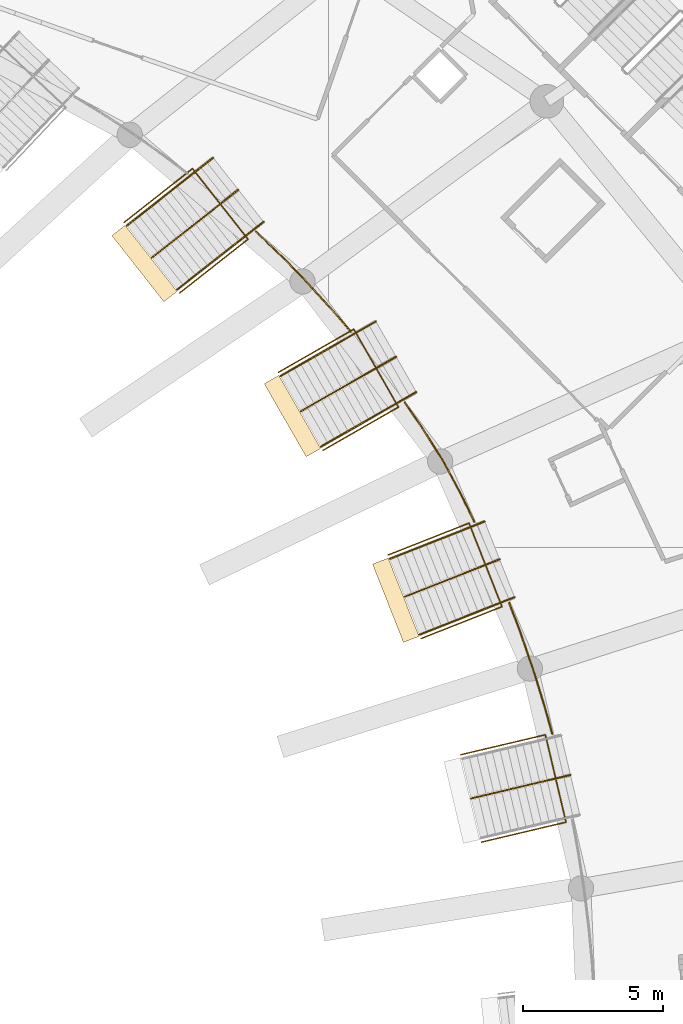
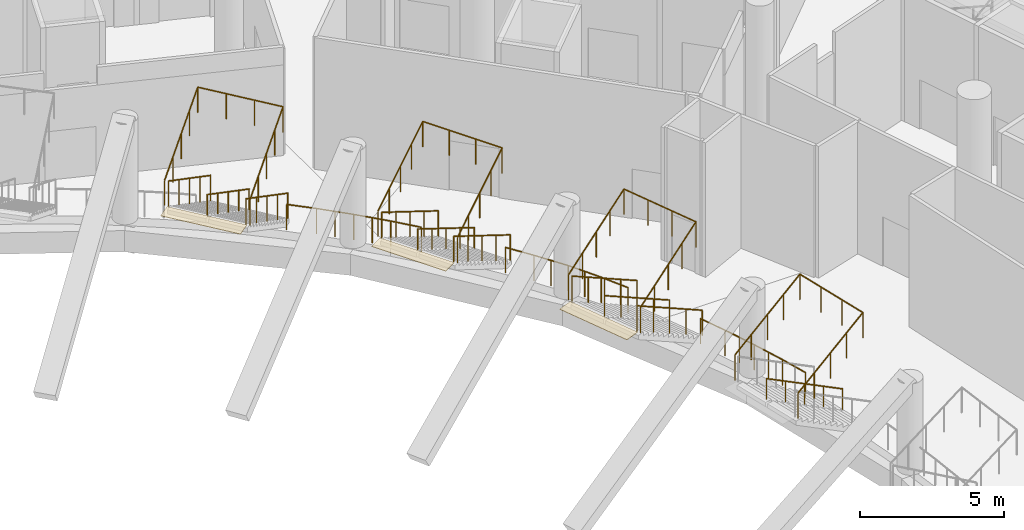
# One storey, part 161 of 173: 17 railings, 3 coverings.
"""IFC4 building model written with IfcOpenShell, lengths in metres."""

from ifc_helpers import new_model, si_unit, direction, frame, origin, origin_2d, place, context, subcontext, project, spatial, rectangle, circle, extrude, material, layer, layer_set, type_object, element, save


model = new_model("IFC4")

# Units and contexts
model_context = context("Model", 3, precision=1e-05, world=origin(), true_north=direction((0.0, 1.0)))
body_context = subcontext(model_context, "Body", "Model", "MODEL_VIEW")
ifc_project = project(units=[si_unit("LENGTHUNIT", "METRE"), si_unit("AREAUNIT", "SQUARE_METRE"), si_unit("VOLUMEUNIT", "CUBIC_METRE"), si_unit("PLANEANGLEUNIT", "RADIAN"), si_unit("MASSUNIT", "GRAM", prefix="KILO")], contexts=[model_context])

# Site, building, storey
site_placement = place(None, origin())
site = spatial("IfcSite", under=ifc_project, at=site_placement, CompositionType="ELEMENT")
building_placement = place(site_placement, origin())
building = spatial("IfcBuilding", under=site, at=building_placement, Name="Meseta Stadium", CompositionType="ELEMENT")
storey_placement = place(building_placement, frame((0.0, 0.0, 18.0)))
storey = spatial("IfcBuildingStorey", under=building, at=storey_placement, Name="L03", CompositionType="ELEMENT", Elevation=18.0)

# Railings
ifc_material_1 = material(Name="Steel S355", Category="steel")
railing_type_1 = type_object("IfcRailingType", Name="Plate edge guard 1100", PredefinedType="GUARDRAIL", material=ifc_material_1)
railing_1_placement = place(storey_placement, frame((71.967041015625, 57.3486328125, 0.0)))
element("IfcRailing", 1, at=railing_1_placement, inside=storey, type_object=railing_type_1, Name="L03 inner edge guard 11", PredefinedType="GUARDRAIL", context=body_context, shape_type="SweptSolid", body=[
    extrude(circle(Radius=0.02490234375, at=origin_2d()), frame((0.0, 0.0, 1.0751953125), z_axis=(-0.269727135959, 0.9629367955, 0.0), x_axis=(-0.9629367955, -0.269727135959, 0.0)), (0.0, 0.0, 1.0), 1.117919921875),
    extrude(circle(Radius=0.02490234375, at=origin_2d()), frame((-0.301513671875, 1.076416015625, 1.0751953125), z_axis=(-0.298140588416, 0.954521969123, 0.0), x_axis=(-0.954521969123, -0.298140588416, 0.0)), (0.0, 0.0, 1.0), 1.344482421875),
    extrude(circle(Radius=0.02490234375, at=origin_2d()), frame((-0.702392578125, 2.35986328125, 1.0751953125), z_axis=(-0.326287243455, 0.945270667459, 0.0), x_axis=(-0.945270667459, -0.326287243455, 0.0)), (0.0, 0.0, 1.0), 1.344482421875),
    extrude(circle(Radius=0.02490234375, at=origin_2d()), frame((-1.14111328125, 3.630859375, 1.0751953125), z_axis=(-0.353866131531, 0.935296081974, 0.0), x_axis=(-0.935296081974, -0.353866131531, 0.0)), (0.0, 0.0, 1.0), 1.111572265625),
    extrude(circle(Radius=0.02001953125, at=origin_2d()), origin(), (0.0, 0.0, 1.0), 1.050048828125),
    extrude(circle(Radius=0.02001953125, at=origin_2d()), frame((-0.301513671875, 1.076416015625, 0.0)), (0.0, 0.0, 1.0), 1.050048828125),
    extrude(circle(Radius=0.02001953125, at=origin_2d()), frame((-0.501953125, 1.71826171875, 0.0)), (0.0, 0.0, 1.0), 1.050048828125),
    extrude(circle(Radius=0.02001953125, at=origin_2d()), frame((-0.702392578125, 2.35986328125, 0.0)), (0.0, 0.0, 1.0), 1.050048828125),
    extrude(circle(Radius=0.02001953125, at=origin_2d()), frame((-0.921875, 2.995361328125, 0.0)), (0.0, 0.0, 1.0), 1.050048828125),
    extrude(circle(Radius=0.02001953125, at=origin_2d()), frame((-1.14111328125, 3.630859375, 0.0)), (0.0, 0.0, 1.0), 1.050048828125),
    extrude(circle(Radius=0.02001953125, at=origin_2d()), frame((-1.534423828125, 4.67041015625, 0.0)), (0.0, 0.0, 1.0), 1.050048828125),
])
railing_2_placement = place(storey_placement, frame((69.19140625, 64.905029296875, 0.0)))
element("IfcRailing", 2, at=railing_2_placement, inside=storey, type_object=railing_type_1, Name="L03 inner edge guard 12", PredefinedType="GUARDRAIL", context=body_context, shape_type="SweptSolid", body=[
    extrude(circle(Radius=0.02490234375, at=origin_2d()), frame((0.0, 0.0, 1.0751953125), z_axis=(-0.435753199463, 0.900066191542, 0.0), x_axis=(-0.900066191542, -0.435753199463, 0.0)), (0.0, 0.0, 1.0), 1.12841796875),
    extrude(circle(Radius=0.02490234375, at=origin_2d()), frame((-0.49169921875, 1.015625, 1.0751953125), z_axis=(-0.474854769411, 0.880064172642, 0.0), x_axis=(-0.880064172642, -0.474854769411, 0.0)), (0.0, 0.0, 1.0), 1.349609375),
    extrude(circle(Radius=0.02490234375, at=origin_2d()), frame((-1.132568359375, 2.203369140625, 1.0751953125), z_axis=(-0.534386629264, 0.845240161412, 0.0), x_axis=(-0.845240161412, -0.534386629264, 0.0)), (0.0, 0.0, 1.0), 1.353271484375),
    extrude(circle(Radius=0.02490234375, at=origin_2d()), frame((-1.855712890625, 3.34716796875, 1.0751953125), z_axis=(-0.564349465999, 0.825535995718, 0.0), x_axis=(-0.825535995718, -0.564349465999, 0.0)), (0.0, 0.0, 1.0), 1.099365234375),
    extrude(circle(Radius=0.02001953125, at=origin_2d()), origin(), (0.0, 0.0, 1.0), 1.050048828125),
    extrude(circle(Radius=0.02001953125, at=origin_2d()), frame((-0.49169921875, 1.015625, 0.0)), (0.0, 0.0, 1.0), 1.050048828125),
    extrude(circle(Radius=0.02001953125, at=origin_2d()), frame((-0.81201171875, 1.609375, 0.0)), (0.0, 0.0, 1.0), 1.050048828125),
    extrude(circle(Radius=0.02001953125, at=origin_2d()), frame((-1.132568359375, 2.203369140625, 0.0)), (0.0, 0.0, 1.0), 1.050048828125),
    extrude(circle(Radius=0.02001953125, at=origin_2d()), frame((-1.494140625, 2.775390625, 0.0)), (0.0, 0.0, 1.0), 1.050048828125),
    extrude(circle(Radius=0.02001953125, at=origin_2d()), frame((-1.855712890625, 3.34716796875, 0.0)), (0.0, 0.0, 1.0), 1.050048828125),
    extrude(circle(Radius=0.02001953125, at=origin_2d()), frame((-2.47607421875, 4.254638671875, 0.0)), (0.0, 0.0, 1.0), 1.050048828125),
])
railing_3_placement = place(storey_placement, frame((64.79248046875, 71.677001953125, 0.0)))
element("IfcRailing", 3, at=railing_3_placement, inside=storey, type_object=railing_type_1, Name="L03 inner edge guard 13", PredefinedType="GUARDRAIL", context=body_context, shape_type="SweptSolid", body=[
    extrude(circle(Radius=0.02490234375, at=origin_2d()), frame((0.0, 0.0, 1.0751953125), z_axis=(-0.649110992878, 0.760693709009, 0.0), x_axis=(-0.760693709009, -0.649110992878, 0.0)), (0.0, 0.0, 1.0), 1.1376953125),
    extrude(circle(Radius=0.02490234375, at=origin_2d()), frame((-0.738525390625, 0.865478515625, 1.0751953125), z_axis=(-0.675732807899, 0.737146642351, 0.0), x_axis=(-0.737146642351, -0.675732807899, 0.0)), (0.0, 0.0, 1.0), 1.3515625),
    extrude(circle(Radius=0.02490234375, at=origin_2d()), frame((-1.65185546875, 1.86181640625, 1.0751953125), z_axis=(-0.70166634323, 0.71250567912, 0.0), x_axis=(-0.71250567912, -0.70166634323, 0.0)), (0.0, 0.0, 1.0), 1.351318359375),
    extrude(circle(Radius=0.02490234375, at=origin_2d()), frame((-2.60009765625, 2.82470703125, 1.0751953125), z_axis=(-0.726425386397, 0.68724534047, 0.0), x_axis=(-0.68724534047, -0.726425386397, 0.0)), (0.0, 0.0, 1.0), 1.07177734375),
    extrude(circle(Radius=0.02001953125, at=origin_2d()), origin(), (0.0, 0.0, 1.0), 1.050048828125),
    extrude(circle(Radius=0.02001953125, at=origin_2d()), frame((-0.738525390625, 0.865478515625, 0.0)), (0.0, 0.0, 1.0), 1.050048828125),
    extrude(circle(Radius=0.02001953125, at=origin_2d()), frame((-1.1953125, 1.36376953125, 0.0)), (0.0, 0.0, 1.0), 1.050048828125),
    extrude(circle(Radius=0.02001953125, at=origin_2d()), frame((-1.65185546875, 1.86181640625, 0.0)), (0.0, 0.0, 1.0), 1.050048828125),
    extrude(circle(Radius=0.02001953125, at=origin_2d()), frame((-2.1259765625, 2.34326171875, 0.0)), (0.0, 0.0, 1.0), 1.050048828125),
    extrude(circle(Radius=0.02001953125, at=origin_2d()), frame((-2.60009765625, 2.82470703125, 0.0)), (0.0, 0.0, 1.0), 1.050048828125),
    extrude(circle(Radius=0.02001953125, at=origin_2d()), frame((-3.378662109375, 3.561279296875, 0.0)), (0.0, 0.0, 1.0), 1.050048828125),
])

# Coverings
ifc_material_2 = material(Name="Stone paving", Category="masonry")
ifc_layer = layer(ifc_material_2, 0.02001953125)
ifc_layer_set = layer_set([ifc_layer], Name="Vomitory exit threshold plate 20")
covering_type = type_object("IfcCoveringType", Name="Vomitory exit threshold plate 20", PredefinedType="FLOORING", material=ifc_layer_set)
for number, where, z_axis, x_axis, name in (
    (4, (66.393310546875, 62.11376953125, 2.33056640625), (0.0, 0.0, 1.0), (-0.930263326339, -0.366892550576, 0.0), "Vomitory V-upper-11 exit threshold"),
    (5, (62.7119140625, 68.675537109375, 2.454833984375), (0.0, 0.0, 1.0), (-0.867711670531, -0.497067859376, 0.0), "Vomitory V-upper-12 exit threshold"),
    (6, (57.438720703125, 74.110107421875, 2.4541015625), (0.0, 0.0, 1.0), (-0.786141751877, -0.618046232862, 0.0), "Vomitory V-upper-13 exit threshold"),
):
    element("IfcCovering", number, at=place(storey_placement, frame(where, z_axis=z_axis, x_axis=x_axis)), inside=storey, type_object=covering_type, Name=name, PredefinedType="FLOORING", context=body_context, shape_type="SweptSolid", body=[
        extrude(rectangle(XDim=0.60009765625, YDim=3.0, at=origin_2d()), origin(), (0.0, 0.0, 1.0), 0.02001953125),
    ])

# Railings
ifc_material_3 = material(Name="Steel S355", Category="steel")
railing_type_2 = type_object("IfcRailingType", Name="Vomitory slot guard 1100", PredefinedType="GUARDRAIL", material=ifc_material_3)
railing_4_placement = place(storey_placement, frame((68.7041015625, 56.609375, 2.3505859375)))
element("IfcRailing", 7, at=railing_4_placement, inside=storey, type_object=railing_type_2, Name="Vomitory V-upper-10 slot guard", PredefinedType="GUARDRAIL", context=body_context, shape_type="SweptSolid", body=[
    extrude(circle(Radius=0.02490234375, at=origin_2d()), frame((0.0, 0.0, 1.0751953125), z_axis=(0.825329132428, 0.194745084169, 0.530005825777), x_axis=(-0.22965384671, 0.973272372305, 0.0)), (0.0, 0.0, 1.0), 3.655517578125),
    extrude(circle(Radius=0.02490234375, at=origin_2d()), frame((3.01708984375, 0.7119140625, 3.0126953125), z_axis=(0.229732459273, -0.973253819492, 0.0), x_axis=(0.973253819492, 0.229732459273, 0.0)), (0.0, 0.0, 1.0), 3.199951171875),
    extrude(circle(Radius=0.02490234375, at=origin_2d()), frame((3.752197265625, -2.40234375, 3.0126953125), z_axis=(-0.825318396523, -0.194809335059, -0.529998931446), x_axis=(0.229728447463, -0.973254766454, 0.0)), (0.0, 0.0, 1.0), 3.65576171875),
    extrude(circle(Radius=0.02001953125, at=origin_2d()), origin(), (0.0, 0.0, 1.0), 1.050048828125),
    extrude(circle(Radius=0.02001953125, at=origin_2d()), frame((0.75439453125, 0.177978515625, 0.484375)), (0.0, 0.0, 1.0), 1.050048828125),
    extrude(circle(Radius=0.02001953125, at=origin_2d()), frame((1.508544921875, 0.35595703125, 0.96875)), (0.0, 0.0, 1.0), 1.050048828125),
    extrude(circle(Radius=0.02001953125, at=origin_2d()), frame((2.2626953125, 0.533935546875, 1.453125)), (0.0, 0.0, 1.0), 1.050048828125),
    extrude(circle(Radius=0.02001953125, at=origin_2d()), frame((3.01708984375, 0.7119140625, 1.9375)), (0.0, 0.0, 1.0), 1.050048828125),
    extrude(circle(Radius=0.02001953125, at=origin_2d()), frame((3.26220703125, -0.326171875, 1.9375)), (0.0, 0.0, 1.0), 1.050048828125),
    extrude(circle(Radius=0.02001953125, at=origin_2d()), frame((3.507080078125, -1.3642578125, 1.9375)), (0.0, 0.0, 1.0), 1.050048828125),
    extrude(circle(Radius=0.02001953125, at=origin_2d()), frame((3.752197265625, -2.40234375, 1.9375)), (0.0, 0.0, 1.0), 1.050048828125),
    extrude(circle(Radius=0.02001953125, at=origin_2d()), frame((2.998046875, -2.580322265625, 1.453125)), (0.0, 0.0, 1.0), 1.050048828125),
    extrude(circle(Radius=0.02001953125, at=origin_2d()), frame((2.24365234375, -2.75830078125, 0.96875)), (0.0, 0.0, 1.0), 1.050048828125),
    extrude(circle(Radius=0.02001953125, at=origin_2d()), frame((1.4892578125, -2.9365234375, 0.484375)), (0.0, 0.0, 1.0), 1.050048828125),
    extrude(circle(Radius=0.02001953125, at=origin_2d()), frame((0.735107421875, -3.114501953125, 0.0)), (0.0, 0.0, 1.0), 1.050048828125),
])
railing_5_placement = place(storey_placement, frame((66.116943359375, 63.724609375, 2.3505859375)))
element("IfcRailing", 8, at=railing_5_placement, inside=storey, type_object=railing_type_2, Name="Vomitory V-upper-11 slot guard", PredefinedType="GUARDRAIL", context=body_context, shape_type="SweptSolid", body=[
    extrude(circle(Radius=0.02490234375, at=origin_2d()), frame((0.0, 0.0, 1.0751953125), z_axis=(0.788853250074, 0.311146909253, 0.529998255383), x_axis=(-0.366919073757, 0.930252865254, 0.0)), (0.0, 0.0, 1.0), 3.65576171875),
    extrude(circle(Radius=0.02490234375, at=origin_2d()), frame((2.8837890625, 1.137451171875, 3.0126953125), z_axis=(0.366900745738, -0.930260094155, 0.0), x_axis=(0.930260094155, 0.366900745738, 0.0)), (0.0, 0.0, 1.0), 3.199951171875),
    extrude(circle(Radius=0.02490234375, at=origin_2d()), frame((4.057861328125, -1.83935546875, 3.0126953125), z_axis=(-0.788853250074, -0.311146909253, -0.529998255383), x_axis=(0.366919073757, -0.930252865254, 0.0)), (0.0, 0.0, 1.0), 3.65576171875),
    extrude(circle(Radius=0.02001953125, at=origin_2d()), origin(), (0.0, 0.0, 1.0), 1.050048828125),
    extrude(circle(Radius=0.02001953125, at=origin_2d()), frame((0.720947265625, 0.284423828125, 0.484375)), (0.0, 0.0, 1.0), 1.050048828125),
    extrude(circle(Radius=0.02001953125, at=origin_2d()), frame((1.44189453125, 0.56884765625, 0.96875)), (0.0, 0.0, 1.0), 1.050048828125),
    extrude(circle(Radius=0.02001953125, at=origin_2d()), frame((2.162841796875, 0.85302734375, 1.453125)), (0.0, 0.0, 1.0), 1.050048828125),
    extrude(circle(Radius=0.02001953125, at=origin_2d()), frame((2.8837890625, 1.137451171875, 1.9375)), (0.0, 0.0, 1.0), 1.050048828125),
    extrude(circle(Radius=0.02001953125, at=origin_2d()), frame((3.275146484375, 0.145263671875, 1.9375)), (0.0, 0.0, 1.0), 1.050048828125),
    extrude(circle(Radius=0.02001953125, at=origin_2d()), frame((3.66650390625, -0.84716796875, 1.9375)), (0.0, 0.0, 1.0), 1.050048828125),
    extrude(circle(Radius=0.02001953125, at=origin_2d()), frame((4.057861328125, -1.83935546875, 1.9375)), (0.0, 0.0, 1.0), 1.050048828125),
    extrude(circle(Radius=0.02001953125, at=origin_2d()), frame((3.3369140625, -2.123779296875, 1.453125)), (0.0, 0.0, 1.0), 1.050048828125),
    extrude(circle(Radius=0.02001953125, at=origin_2d()), frame((2.615966796875, -2.408203125, 0.96875)), (0.0, 0.0, 1.0), 1.050048828125),
    extrude(circle(Radius=0.02001953125, at=origin_2d()), frame((1.89501953125, -2.6923828125, 0.484375)), (0.0, 0.0, 1.0), 1.050048828125),
    extrude(circle(Radius=0.02001953125, at=origin_2d()), frame((1.174072265625, -2.976806640625, 0.0)), (0.0, 0.0, 1.0), 1.050048828125),
])
railing_6_placement = place(storey_placement, frame((62.206298828125, 70.22998046875, 2.474853515625)))
element("IfcRailing", 9, at=railing_6_placement, inside=storey, type_object=railing_type_2, Name="Vomitory V-upper-12 slot guard", PredefinedType="GUARDRAIL", context=body_context, shape_type="SweptSolid", body=[
    extrude(circle(Radius=0.02490234375, at=origin_2d()), frame((0.0, 0.0, 1.0751953125), z_axis=(0.735834226507, 0.421478471908, 0.530003668684), x_axis=(-0.49702922619, 0.867733800375, 0.0)), (0.0, 0.0, 1.0), 3.655517578125),
    extrude(circle(Radius=0.02490234375, at=origin_2d()), frame((2.68994140625, 1.540771484375, 3.0126953125), z_axis=(0.497124557531, -0.867679188583, 0.0), x_axis=(0.867679188583, 0.497124557531, 0.0)), (0.0, 0.0, 1.0), 3.199951171875),
    extrude(circle(Radius=0.02490234375, at=origin_2d()), frame((4.28076171875, -1.23583984375, 3.0126953125), z_axis=(-0.735834226507, -0.421478471908, -0.530003668684), x_axis=(0.49702922619, -0.867733800375, 0.0)), (0.0, 0.0, 1.0), 3.655517578125),
    extrude(circle(Radius=0.02001953125, at=origin_2d()), origin(), (0.0, 0.0, 1.0), 1.050048828125),
    extrude(circle(Radius=0.02001953125, at=origin_2d()), frame((0.67236328125, 0.38525390625, 0.484375)), (0.0, 0.0, 1.0), 1.050048828125),
    extrude(circle(Radius=0.02001953125, at=origin_2d()), frame((1.344970703125, 0.7705078125, 0.96875)), (0.0, 0.0, 1.0), 1.050048828125),
    extrude(circle(Radius=0.02001953125, at=origin_2d()), frame((2.017578125, 1.155517578125, 1.453125)), (0.0, 0.0, 1.0), 1.050048828125),
    extrude(circle(Radius=0.02001953125, at=origin_2d()), frame((2.68994140625, 1.540771484375, 1.9375)), (0.0, 0.0, 1.0), 1.050048828125),
    extrude(circle(Radius=0.02001953125, at=origin_2d()), frame((3.22021484375, 0.615234375, 1.9375)), (0.0, 0.0, 1.0), 1.050048828125),
    extrude(circle(Radius=0.02001953125, at=origin_2d()), frame((3.75048828125, -0.310302734375, 1.9375)), (0.0, 0.0, 1.0), 1.050048828125),
    extrude(circle(Radius=0.02001953125, at=origin_2d()), frame((4.28076171875, -1.23583984375, 1.9375)), (0.0, 0.0, 1.0), 1.050048828125),
    extrude(circle(Radius=0.02001953125, at=origin_2d()), frame((3.6083984375, -1.62109375, 1.453125)), (0.0, 0.0, 1.0), 1.050048828125),
    extrude(circle(Radius=0.02001953125, at=origin_2d()), frame((2.935791015625, -2.00634765625, 0.96875)), (0.0, 0.0, 1.0), 1.050048828125),
    extrude(circle(Radius=0.02001953125, at=origin_2d()), frame((2.26318359375, -2.391357421875, 0.484375)), (0.0, 0.0, 1.0), 1.050048828125),
    extrude(circle(Radius=0.02001953125, at=origin_2d()), frame((1.5908203125, -2.776611328125, 0.0)), (0.0, 0.0, 1.0), 1.050048828125),
])
railing_7_placement = place(storey_placement, frame((56.71240234375, 75.574462890625, 2.47412109375)))
element("IfcRailing", 10, at=railing_7_placement, inside=storey, type_object=railing_type_2, Name="Vomitory V-upper-13 slot guard", PredefinedType="GUARDRAIL", context=body_context, shape_type="SweptSolid", body=[
    extrude(circle(Radius=0.02490234375, at=origin_2d()), frame((0.0, 0.0, 1.0751953125), z_axis=(0.666659083967, 0.524070710468, 0.530014675452), x_axis=(-0.618016316891, 0.786165270193, 0.0)), (0.0, 0.0, 1.0), 3.655517578125),
    extrude(circle(Radius=0.02490234375, at=origin_2d()), frame((2.43701171875, 1.915771484375, 3.0126953125), z_axis=(0.618057385598, -0.78613298373, 0.0), x_axis=(0.78613298373, 0.618057385598, 0.0)), (0.0, 0.0, 1.0), 3.199951171875),
    extrude(circle(Radius=0.02490234375, at=origin_2d()), frame((4.414794921875, -0.599853515625, 3.0126953125), z_axis=(-0.666635750203, -0.524119151232, -0.529996124385), x_axis=(0.618064990358, -0.786127004811, 0.0)), (0.0, 0.0, 1.0), 3.65576171875),
    extrude(circle(Radius=0.02001953125, at=origin_2d()), origin(), (0.0, 0.0, 1.0), 1.050048828125),
    extrude(circle(Radius=0.02001953125, at=origin_2d()), frame((0.609375, 0.47900390625, 0.484375)), (0.0, 0.0, 1.0), 1.050048828125),
    extrude(circle(Radius=0.02001953125, at=origin_2d()), frame((1.218505859375, 0.9580078125, 0.96875)), (0.0, 0.0, 1.0), 1.050048828125),
    extrude(circle(Radius=0.02001953125, at=origin_2d()), frame((1.82763671875, 1.436767578125, 1.453125)), (0.0, 0.0, 1.0), 1.050048828125),
    extrude(circle(Radius=0.02001953125, at=origin_2d()), frame((2.43701171875, 1.915771484375, 1.9375)), (0.0, 0.0, 1.0), 1.050048828125),
    extrude(circle(Radius=0.02001953125, at=origin_2d()), frame((3.09619140625, 1.0771484375, 1.9375)), (0.0, 0.0, 1.0), 1.050048828125),
    extrude(circle(Radius=0.02001953125, at=origin_2d()), frame((3.755615234375, 0.23876953125, 1.9375)), (0.0, 0.0, 1.0), 1.050048828125),
    extrude(circle(Radius=0.02001953125, at=origin_2d()), frame((4.414794921875, -0.599853515625, 1.9375)), (0.0, 0.0, 1.0), 1.050048828125),
    extrude(circle(Radius=0.02001953125, at=origin_2d()), frame((3.8056640625, -1.078857421875, 1.453125)), (0.0, 0.0, 1.0), 1.050048828125),
    extrude(circle(Radius=0.02001953125, at=origin_2d()), frame((3.1962890625, -1.557861328125, 0.96875)), (0.0, 0.0, 1.0), 1.050048828125),
    extrude(circle(Radius=0.02001953125, at=origin_2d()), frame((2.5869140625, -2.036865234375, 0.484375)), (0.0, 0.0, 1.0), 1.050048828125),
    extrude(circle(Radius=0.02001953125, at=origin_2d()), frame((1.977783203125, -2.515869140625, 0.0)), (0.0, 0.0, 1.0), 1.050048828125),
])
ifc_material_4 = material(Name="Steel S355", Category="steel")
railing_type_3 = type_object("IfcRailingType", Name="Vomitory stair guard 1100", PredefinedType="GUARDRAIL", material=ifc_material_4)
for number, where, name in (
    (11, (70.6220703125, 62.222900390625, 0.16796875), "Vomitory V-upper-11 guard left"),
    (12, (69.55810546875, 64.920654296875, 0.16796875), "Vomitory V-upper-11 guard right"),
):
    element("IfcRailing", number, at=place(storey_placement, frame(where)), inside=storey, type_object=railing_type_3, Name=name, PredefinedType="GUARDRAIL", context=body_context, shape_type="SweptSolid", body=[
        extrude(circle(Radius=0.02490234375, at=origin_2d()), frame((0.0, 0.0, 1.0751953125), z_axis=(-0.797836414941, -0.314647814688, 0.514250724555), x_axis=(0.366876373084, -0.930269706522, 0.0)), (0.0, 0.0, 1.0), 4.244384765625),
        extrude(circle(Radius=0.02001953125, at=origin_2d()), origin(), (0.0, 0.0, 1.0), 1.050048828125),
        extrude(circle(Radius=0.02001953125, at=origin_2d()), frame((-0.8466796875, -0.333984375, 0.545654296875)), (0.0, 0.0, 1.0), 1.050048828125),
        extrude(circle(Radius=0.02001953125, at=origin_2d()), frame((-1.693115234375, -0.667724609375, 1.09130859375)), (0.0, 0.0, 1.0), 1.050048828125),
        extrude(circle(Radius=0.02001953125, at=origin_2d()), frame((-2.53955078125, -1.00146484375, 1.636962890625)), (0.0, 0.0, 1.0), 1.050048828125),
        extrude(circle(Radius=0.02001953125, at=origin_2d()), frame((-3.38623046875, -1.33544921875, 2.1826171875)), (0.0, 0.0, 1.0), 1.050048828125),
    ])
for number, where, name in (
    (13, (67.123779296875, 69.531982421875, 0.1650390625), "Vomitory V-upper-12 guard left"),
    (14, (65.682373046875, 72.04833984375, 0.1650390625), "Vomitory V-upper-12 guard right"),
):
    element("IfcRailing", number, at=place(storey_placement, frame(where)), inside=storey, type_object=railing_type_3, Name=name, PredefinedType="GUARDRAIL", context=body_context, shape_type="SweptSolid", body=[
        extrude(circle(Radius=0.02490234375, at=origin_2d()), frame((0.0, 0.0, 1.0751953125), z_axis=(-0.747577774128, -0.428252814766, 0.50766819703), x_axis=(0.497070962808, -0.867709892725, 0.0)), (0.0, 0.0, 1.0), 4.5498046875),
        extrude(circle(Radius=0.02001953125, at=origin_2d()), origin(), (0.0, 0.0, 1.0), 1.050048828125),
        extrude(circle(Radius=0.02001953125, at=origin_2d()), frame((-0.850341796875, -0.487060546875, 0.577392578125)), (0.0, 0.0, 1.0), 1.050048828125),
        extrude(circle(Radius=0.02001953125, at=origin_2d()), frame((-1.70068359375, -0.97412109375, 1.15478515625)), (0.0, 0.0, 1.0), 1.050048828125),
        extrude(circle(Radius=0.02001953125, at=origin_2d()), frame((-2.551025390625, -1.46142578125, 1.732421875)), (0.0, 0.0, 1.0), 1.050048828125),
        extrude(circle(Radius=0.02001953125, at=origin_2d()), frame((-3.4013671875, -1.948486328125, 2.309814453125)), (0.0, 0.0, 1.0), 1.050048828125),
    ])
railing_8_placement = place(storey_placement, frame((61.67919921875, 75.599365234375, 0.164794921875)))
element("IfcRailing", 15, at=railing_8_placement, inside=storey, type_object=railing_type_3, Name="Vomitory V-upper-13 guard left", PredefinedType="GUARDRAIL", context=body_context, shape_type="SweptSolid", body=[
    extrude(circle(Radius=0.02490234375, at=origin_2d()), frame((0.0, 0.0, 1.0751953125), z_axis=(-0.677346786361, -0.532519171975, 0.507567396988), x_axis=(0.618049814161, -0.786138936331, 0.0)), (0.0, 0.0, 1.0), 4.5498046875),
    extrude(circle(Radius=0.02001953125, at=origin_2d()), origin(), (0.0, 0.0, 1.0), 1.050048828125),
    extrude(circle(Radius=0.02001953125, at=origin_2d()), frame((-0.7705078125, -0.605712890625, 0.577392578125)), (0.0, 0.0, 1.0), 1.050048828125),
    extrude(circle(Radius=0.02001953125, at=origin_2d()), frame((-1.541015625, -1.21142578125, 1.15478515625)), (0.0, 0.0, 1.0), 1.050048828125),
    extrude(circle(Radius=0.02001953125, at=origin_2d()), frame((-2.311279296875, -1.817138671875, 1.73193359375)), (0.0, 0.0, 1.0), 1.050048828125),
    extrude(circle(Radius=0.02001953125, at=origin_2d()), frame((-3.081787109375, -2.4228515625, 2.309326171875)), (0.0, 0.0, 1.0), 1.050048828125),
])
railing_9_placement = place(storey_placement, frame((59.88671875, 77.879150390625, 0.164794921875)))
element("IfcRailing", 16, at=railing_9_placement, inside=storey, type_object=railing_type_3, Name="Vomitory V-upper-13 guard right", PredefinedType="GUARDRAIL", context=body_context, shape_type="SweptSolid", body=[
    extrude(circle(Radius=0.02490234375, at=origin_2d()), frame((0.0, 0.0, 1.0751953125), z_axis=(-0.677317744059, -0.532538527337, 0.507585845433), x_axis=(0.618080074529, -0.786115145173, 0.0)), (0.0, 0.0, 1.0), 4.549560546875),
    extrude(circle(Radius=0.02001953125, at=origin_2d()), origin(), (0.0, 0.0, 1.0), 1.050048828125),
    extrude(circle(Radius=0.02001953125, at=origin_2d()), frame((-0.7705078125, -0.605712890625, 0.577392578125)), (0.0, 0.0, 1.0), 1.050048828125),
    extrude(circle(Radius=0.02001953125, at=origin_2d()), frame((-1.540771484375, -1.21142578125, 1.15478515625)), (0.0, 0.0, 1.0), 1.050048828125),
    extrude(circle(Radius=0.02001953125, at=origin_2d()), frame((-2.31103515625, -1.817138671875, 1.73193359375)), (0.0, 0.0, 1.0), 1.050048828125),
    extrude(circle(Radius=0.02001953125, at=origin_2d()), frame((-3.08154296875, -2.4228515625, 2.309326171875)), (0.0, 0.0, 1.0), 1.050048828125),
])
ifc_material_5 = material(Name="Steel S355", Category="steel")
railing_type_4 = type_object("IfcRailingType", Name="Vomitory stair handrail 900", PredefinedType="HANDRAIL", material=ifc_material_5)
railing_10_placement = place(storey_placement, frame((72.6142578125, 55.88818359375, 0.16796875)))
element("IfcRailing", 17, at=railing_10_placement, inside=storey, type_object=railing_type_4, Name="Vomitory V-upper-10 central handrail", PredefinedType="HANDRAIL", context=body_context, shape_type="SweptSolid", body=[
    extrude(circle(Radius=0.02490234375, at=origin_2d()), frame((0.0, 0.0, 0.875), z_axis=(-0.834688173777, -0.19702322503, 0.5142737611), x_axis=(0.229730915234, -0.973254183955, 0.0)), (0.0, 0.0, 1.0), 4.244140625),
    extrude(circle(Radius=0.02001953125, at=origin_2d()), origin(), (0.0, 0.0, 1.0), 0.849853515625),
    extrude(circle(Radius=0.02001953125, at=origin_2d()), frame((-0.8857421875, -0.208984375, 0.545654296875)), (0.0, 0.0, 1.0), 0.849853515625),
    extrude(circle(Radius=0.02001953125, at=origin_2d()), frame((-1.771240234375, -0.41796875, 1.09130859375)), (0.0, 0.0, 1.0), 0.849853515625),
    extrude(circle(Radius=0.02001953125, at=origin_2d()), frame((-2.65673828125, -0.627197265625, 1.636962890625)), (0.0, 0.0, 1.0), 0.849853515625),
    extrude(circle(Radius=0.02001953125, at=origin_2d()), frame((-3.54248046875, -0.836181640625, 2.1826171875)), (0.0, 0.0, 1.0), 0.849853515625),
])
railing_11_placement = place(storey_placement, frame((70.090087890625, 63.57177734375, 0.16796875)))
element("IfcRailing", 18, at=railing_11_placement, inside=storey, type_object=railing_type_4, Name="Vomitory V-upper-11 central handrail", PredefinedType="HANDRAIL", context=body_context, shape_type="SweptSolid", body=[
    extrude(circle(Radius=0.02490234375, at=origin_2d()), frame((0.0, 0.0, 0.875), z_axis=(-0.797821973722, -0.314699640824, 0.514241416372), x_axis=(0.366934413985, -0.930246814471, 0.0)), (0.0, 0.0, 1.0), 4.244384765625),
    extrude(circle(Radius=0.02001953125, at=origin_2d()), origin(), (0.0, 0.0, 1.0), 0.849853515625),
    extrude(circle(Radius=0.02001953125, at=origin_2d()), frame((-0.8466796875, -0.333984375, 0.545654296875)), (0.0, 0.0, 1.0), 0.849853515625),
    extrude(circle(Radius=0.02001953125, at=origin_2d()), frame((-1.693115234375, -0.66796875, 1.09130859375)), (0.0, 0.0, 1.0), 0.849853515625),
    extrude(circle(Radius=0.02001953125, at=origin_2d()), frame((-2.53955078125, -1.001708984375, 1.636962890625)), (0.0, 0.0, 1.0), 0.849853515625),
    extrude(circle(Radius=0.02001953125, at=origin_2d()), frame((-3.38623046875, -1.335693359375, 2.1826171875)), (0.0, 0.0, 1.0), 0.849853515625),
])
railing_12_placement = place(storey_placement, frame((66.4033203125, 70.7900390625, 0.1650390625)))
element("IfcRailing", 19, at=railing_12_placement, inside=storey, type_object=railing_type_4, Name="Vomitory V-upper-12 central handrail", PredefinedType="HANDRAIL", context=body_context, shape_type="SweptSolid", body=[
    extrude(circle(Radius=0.02490234375, at=origin_2d()), frame((0.0, 0.0, 0.875), z_axis=(-0.747601443181, -0.428235636118, 0.507647832767), x_axis=(0.497044101051, -0.867725280034, 0.0)), (0.0, 0.0, 1.0), 4.550048828125),
    extrude(circle(Radius=0.02001953125, at=origin_2d()), origin(), (0.0, 0.0, 1.0), 0.849853515625),
    extrude(circle(Radius=0.02001953125, at=origin_2d()), frame((-0.850341796875, -0.487060546875, 0.577392578125)), (0.0, 0.0, 1.0), 0.849853515625),
    extrude(circle(Radius=0.02001953125, at=origin_2d()), frame((-1.70068359375, -0.97412109375, 1.15478515625)), (0.0, 0.0, 1.0), 0.849853515625),
    extrude(circle(Radius=0.02001953125, at=origin_2d()), frame((-2.55126953125, -1.46142578125, 1.732421875)), (0.0, 0.0, 1.0), 0.849853515625),
    extrude(circle(Radius=0.02001953125, at=origin_2d()), frame((-3.401611328125, -1.948486328125, 2.309814453125)), (0.0, 0.0, 1.0), 0.849853515625),
])
railing_13_placement = place(storey_placement, frame((60.782958984375, 76.7392578125, 0.164794921875)))
element("IfcRailing", 20, at=railing_13_placement, inside=storey, type_object=railing_type_4, Name="Vomitory V-upper-13 central handrail", PredefinedType="HANDRAIL", context=body_context, shape_type="SweptSolid", body=[
    extrude(circle(Radius=0.02490234375, at=origin_2d()), frame((0.0, 0.0, 0.875), z_axis=(-0.677317744059, -0.532538527337, 0.507585845433), x_axis=(0.618080074529, -0.786115145173, 0.0)), (0.0, 0.0, 1.0), 4.549560546875),
    extrude(circle(Radius=0.02001953125, at=origin_2d()), origin(), (0.0, 0.0, 1.0), 0.849853515625),
    extrude(circle(Radius=0.02001953125, at=origin_2d()), frame((-0.7705078125, -0.605712890625, 0.577392578125)), (0.0, 0.0, 1.0), 0.849853515625),
    extrude(circle(Radius=0.02001953125, at=origin_2d()), frame((-1.540771484375, -1.21142578125, 1.15478515625)), (0.0, 0.0, 1.0), 0.849853515625),
    extrude(circle(Radius=0.02001953125, at=origin_2d()), frame((-2.31103515625, -1.817138671875, 1.73193359375)), (0.0, 0.0, 1.0), 0.849853515625),
    extrude(circle(Radius=0.02001953125, at=origin_2d()), frame((-3.08154296875, -2.4228515625, 2.309326171875)), (0.0, 0.0, 1.0), 0.849853515625),
])

save(model, "model.ifc")
